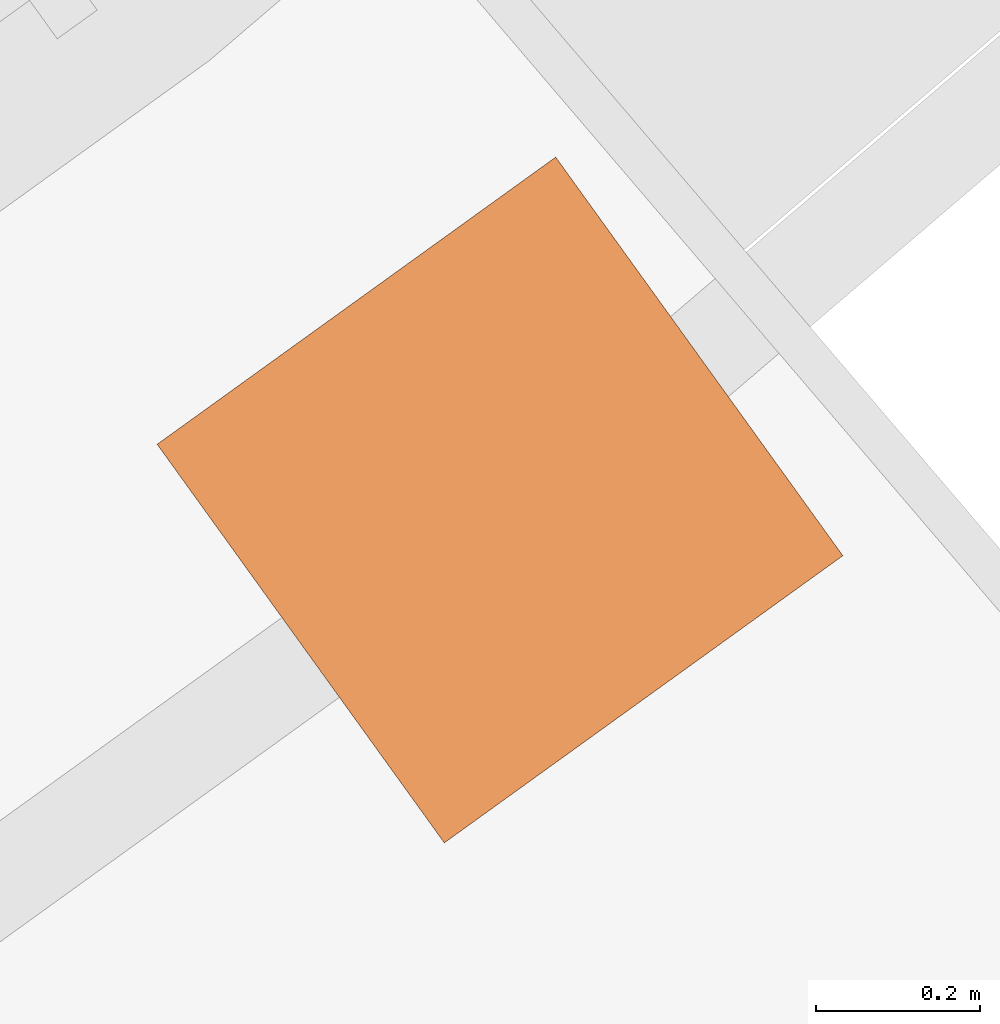
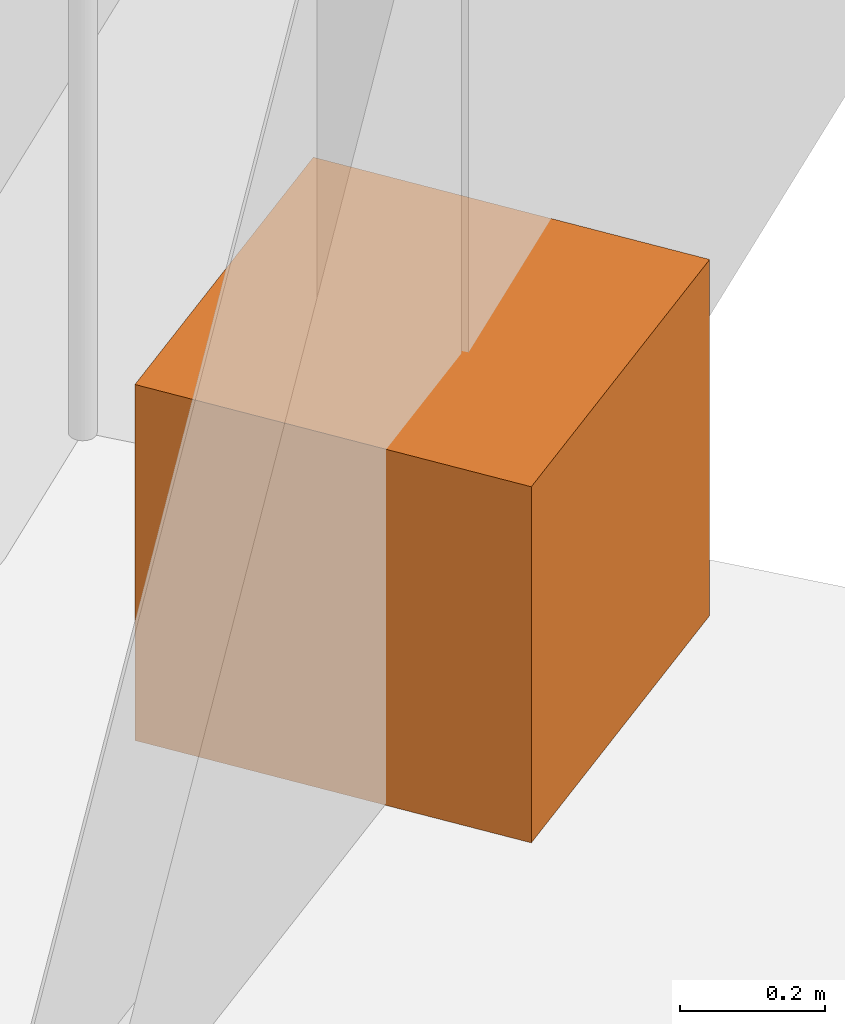
# One storey, part 21 of 21: 1 proxy.
"""IFC4 building model written with IfcOpenShell, lengths in metres."""

from ifc_helpers import new_model, si_unit, direction, frame, origin, origin_2d, place, context, subcontext, project, spatial, rectangle, extrude, material, type_object, element, save


model = new_model("IFC4")

# Units and contexts
model_context = context("Model", 3, precision=1e-05, world=origin(), true_north=direction((0.0, 1.0)))
body_context = subcontext(model_context, "Body", "Model", "MODEL_VIEW")
ifc_project = project(units=[si_unit("LENGTHUNIT", "METRE"), si_unit("AREAUNIT", "SQUARE_METRE"), si_unit("VOLUMEUNIT", "CUBIC_METRE"), si_unit("PLANEANGLEUNIT", "RADIAN"), si_unit("MASSUNIT", "GRAM", prefix="KILO")], contexts=[model_context])

# Site, building, storey
site_placement = place(None, origin())
site = spatial("IfcSite", under=ifc_project, at=site_placement, CompositionType="ELEMENT")
building_placement = place(site_placement, origin())
building = spatial("IfcBuilding", under=site, at=building_placement, Name="Tamarind Cross Interchange Tower", CompositionType="ELEMENT")
storey_placement = place(building_placement, frame((0.0, 0.0, 267.60009765625)))
storey = spatial("IfcBuildingStorey", under=building, at=storey_placement, Name="L68", CompositionType="ELEMENT", Elevation=267.60009765625)

# Proxy
ifc_material = material(Name="Concrete C30", Category="concrete")
building_element_proxy_type = type_object("IfcBuildingElementProxyType", Name="Planter", PredefinedType="USERDEFINED", material=ifc_material)
proxy_placement = place(storey_placement, origin())
element("IfcBuildingElementProxy", 1, at=proxy_placement, inside=storey, type_object=building_element_proxy_type, Name="PLT-L68-BAL01", ObjectType="Planter", PredefinedType="USERDEFINED", context=body_context, shape_type="SweptSolid", body=[
    extrude(rectangle(XDim=0.60009765625, YDim=0.60009765625, at=origin_2d()), frame((15.1748046875, -19.40966796875, -0.000244140625), z_axis=(0.0, 0.0, 1.0), x_axis=(0.811340475102, 0.584573890505, 0.0)), (0.0, 0.0, 1.0), 0.60009765625),
])

save(model, "model.ifc")
